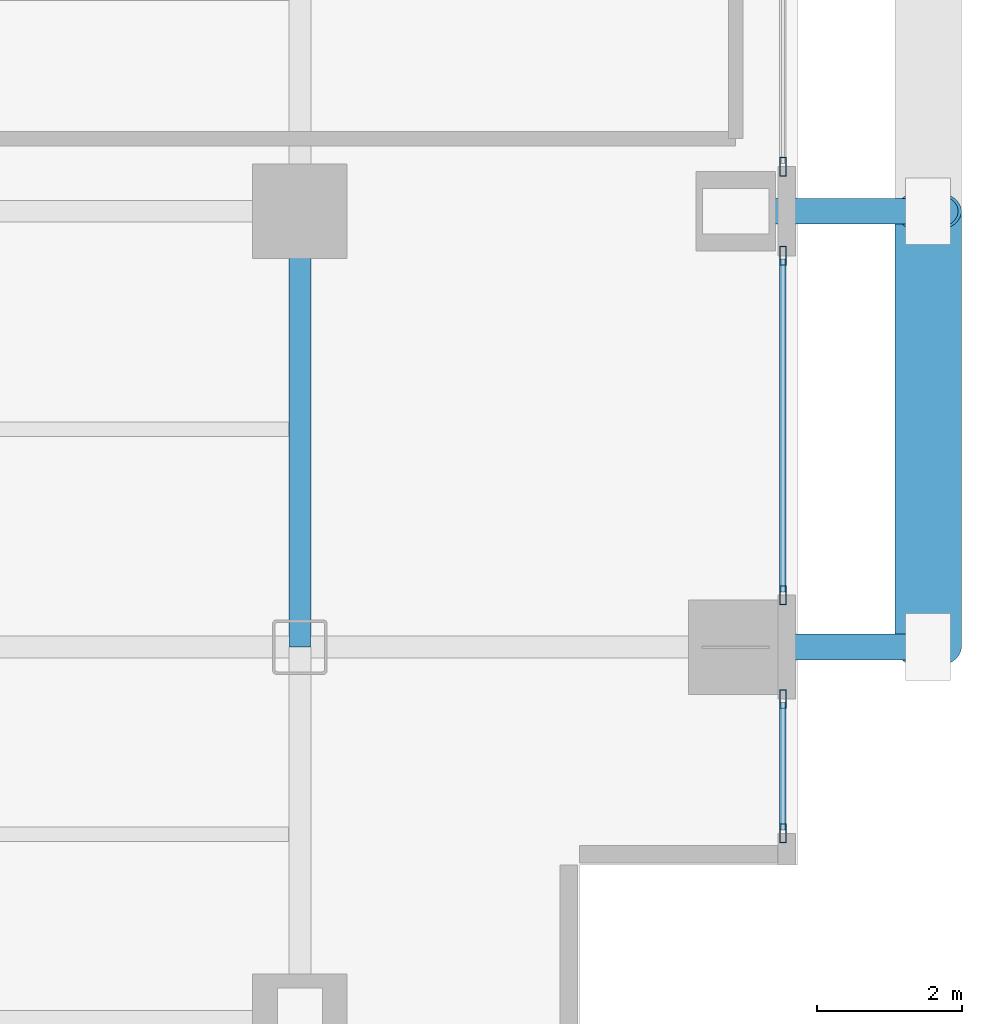
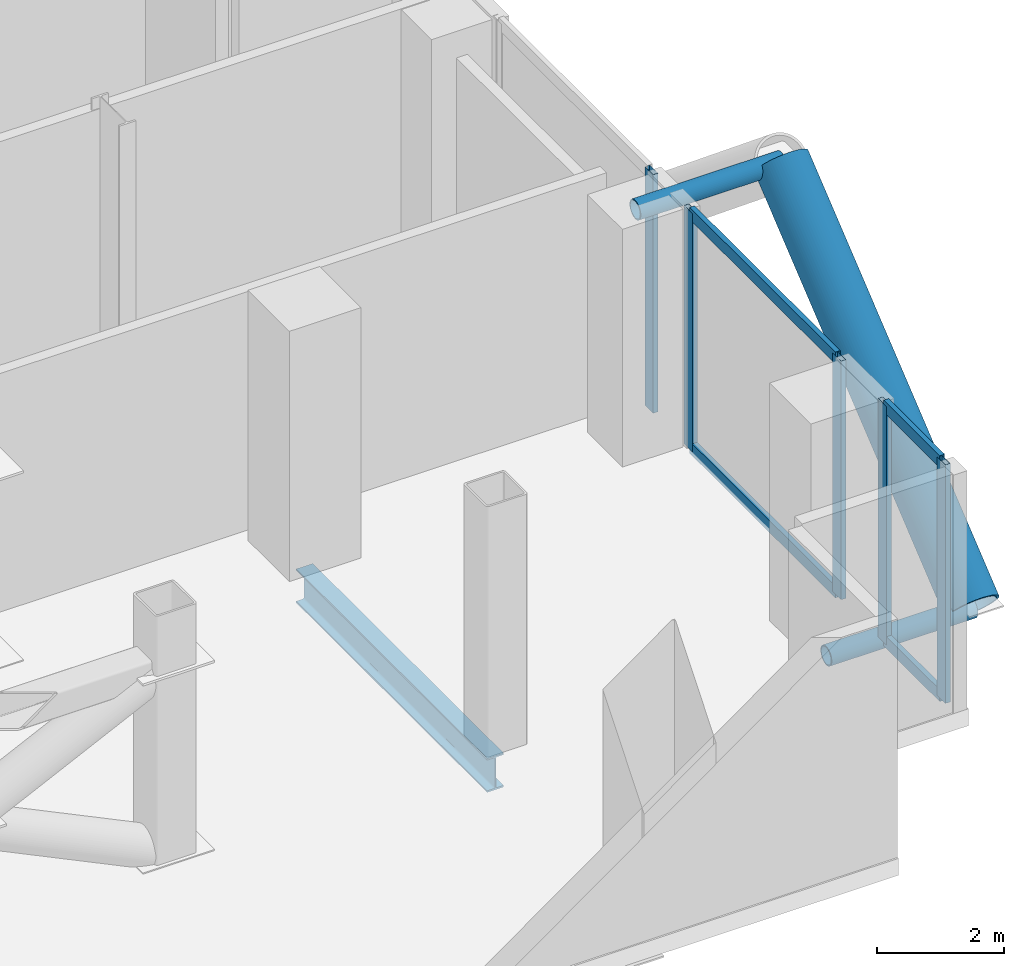
# One storey, part 4 of 10: 12 members, 1 beam, 3 elements without a shape of their own.
"""IFC4 building model written with IfcOpenShell, lengths in metres."""

from ifc_helpers import new_model, si_unit, direction, frame, origin, origin_2d, place, context, subcontext, project, spatial, hollow_rectangle, hollow_circle, i_section, extrude, material, layer, layer_set, material_profile, profile_set, type_object, element, aggregate, save


model = new_model("IFC4")

# Units and contexts
model_context = context("Model", 3, precision=1e-05, world=origin(), true_north=direction((0.0, 1.0)))
body_context = subcontext(model_context, "Body", "Model", "MODEL_VIEW")
ifc_project = project(units=[si_unit("LENGTHUNIT", "METRE"), si_unit("AREAUNIT", "SQUARE_METRE"), si_unit("VOLUMEUNIT", "CUBIC_METRE"), si_unit("PLANEANGLEUNIT", "RADIAN"), si_unit("MASSUNIT", "GRAM", prefix="KILO"), si_unit("THERMODYNAMICTEMPERATUREUNIT", "KELVIN"), si_unit("POWERUNIT", "WATT")], contexts=[model_context])

# Site, building, storey
site_placement = place(None, origin())
site = spatial("IfcSite", under=ifc_project, at=site_placement, CompositionType="ELEMENT")
building_placement = place(site_placement, origin())
building = spatial("IfcBuilding", under=site, at=building_placement, Name="Svarakhadi Broadcast Tower", CompositionType="ELEMENT")
storey_placement = place(building_placement, frame((0.0, 0.0, 94.800048828125)))
storey = spatial("IfcBuildingStorey", under=building, at=storey_placement, Name="L22", CompositionType="ELEMENT", Elevation=94.800048828125)

# Curtain wall, member
ifc_material_1 = material(Name="Anodised Bronze Aluminium AA 6063-T6", Category="aluminium")
ifc_layer = layer(ifc_material_1, 0.260009765625)
ifc_layer_set = layer_set([ifc_layer], Name="Anodised Bronze Aluminium AA 6063-T6")
curtain_wall_type = type_object("IfcCurtainWallType", Name="CW_Sys_07", PredefinedType="NOTDEFINED", material=ifc_layer_set)
curtain_wall_1_placement = place(storey_placement, origin())
curtain_wall_1 = element("IfcCurtainWall", 1, at=curtain_wall_1_placement, inside=storey, type_object=curtain_wall_type, Name="L22 East Plant Daylighting Curtain Wall CW-07 Bay 2", PredefinedType="NOTDEFINED")
ifc_material_profile_1 = material_profile(ifc_material_1, hollow_rectangle(XDim=0.090087890625, YDim=0.260009765625, WallThickness=0.005615234375, at=origin_2d()), Name="ALU MULLION 260x90x6")
ifc_profile_set_1 = profile_set([ifc_material_profile_1], Name="Anodised Bronze Aluminium AA 6063-T6")
member_type_1 = type_object("IfcMemberType", Name="CW_Sys_07_Mul", PredefinedType="MULLION", material=ifc_profile_set_1)
member_1_placement = place(storey_placement, frame((53.800048828125, 12.614990234375, 0.0), z_axis=(0.0, 0.0, 1.0), x_axis=(1.0, 0.0, 0.0)))
member_1 = element("IfcMember", 2, at=member_1_placement, type_object=member_type_1, Name="CW-07 mullion 2", PredefinedType="MULLION", context=body_context, shape_type="SweptSolid", body=[
    extrude(hollow_rectangle(XDim=0.090087890625, YDim=0.260009765625, WallThickness=0.005615234375, at=origin_2d()), origin(), (0.0, 0.0, 1.0), 4.574951171875),
])
aggregate(curtain_wall_1, [member_1])

# Curtain wall, members
curtain_wall_2_placement = place(storey_placement, origin())
curtain_wall_2 = element("IfcCurtainWall", 3, at=curtain_wall_2_placement, inside=storey, type_object=curtain_wall_type, Name="L22 East Plant Daylighting Curtain Wall CW-07 Bay 3", PredefinedType="NOTDEFINED")
member_2_placement = place(storey_placement, frame((53.800048828125, 11.385009765625, 0.0), z_axis=(0.0, 0.0, 1.0), x_axis=(1.0, 0.0, 0.0)))
member_2 = element("IfcMember", 4, at=member_2_placement, type_object=member_type_1, Name="CW-07 mullion 1", PredefinedType="MULLION", context=body_context, shape_type="SweptSolid", body=[
    extrude(hollow_rectangle(XDim=0.090087890625, YDim=0.260009765625, WallThickness=0.005615234375, at=origin_2d()), origin(), (0.0, 0.0, 1.0), 4.574951171875),
])
member_3_placement = place(storey_placement, frame((53.800048828125, 6.715087890625, 0.0), z_axis=(0.0, 0.0, 1.0), x_axis=(1.0, 0.0, 0.0)))
member_3 = element("IfcMember", 5, at=member_3_placement, type_object=member_type_1, Name="CW-07 mullion 2", PredefinedType="MULLION", context=body_context, shape_type="SweptSolid", body=[
    extrude(hollow_rectangle(XDim=0.090087890625, YDim=0.260009765625, WallThickness=0.005615234375, at=origin_2d()), origin(), (0.0, 0.0, 1.0), 4.574951171875),
])

curtain_wall_3_placement = place(storey_placement, origin())
curtain_wall_3 = element("IfcCurtainWall", 6, at=curtain_wall_3_placement, inside=storey, type_object=curtain_wall_type, Name="L22 East Plant Daylighting Curtain Wall CW-07 Bay 4", PredefinedType="NOTDEFINED")
member_4_placement = place(storey_placement, frame((53.800048828125, 5.284912109375, 0.0), z_axis=(0.0, 0.0, 1.0), x_axis=(1.0, 0.0, 0.0)))
member_4 = element("IfcMember", 7, at=member_4_placement, type_object=member_type_1, Name="CW-07 mullion 1", PredefinedType="MULLION", context=body_context, shape_type="SweptSolid", body=[
    extrude(hollow_rectangle(XDim=0.090087890625, YDim=0.260009765625, WallThickness=0.005615234375, at=origin_2d()), origin(), (0.0, 0.0, 1.0), 4.574951171875),
])
member_5_placement = place(storey_placement, frame((53.800048828125, 3.43505859375, 0.0), z_axis=(0.0, 0.0, 1.0), x_axis=(1.0, 0.0, 0.0)))
member_5 = element("IfcMember", 8, at=member_5_placement, type_object=member_type_1, Name="CW-07 mullion 2", PredefinedType="MULLION", context=body_context, shape_type="SweptSolid", body=[
    extrude(hollow_rectangle(XDim=0.090087890625, YDim=0.260009765625, WallThickness=0.005615234375, at=origin_2d()), origin(), (0.0, 0.0, 1.0), 4.574951171875),
])

# Member
ifc_material_profile_2 = material_profile(ifc_material_1, hollow_rectangle(XDim=0.090087890625, YDim=0.22998046875, WallThickness=0.0048828125, at=origin_2d()), Name="ALU TRANSOM 230x90x5")
ifc_profile_set_2 = profile_set([ifc_material_profile_2], Name="Anodised Bronze Aluminium AA 6063-T6")
member_type_2 = type_object("IfcMemberType", Name="CW_Sys_07_Trn", PredefinedType="USERDEFINED", material=ifc_profile_set_2)
member_6_placement = place(storey_placement, frame((53.800048828125, 11.340087890625, 0.044921875), z_axis=(0.0, -1.0, 0.0), x_axis=(1.0, 0.0, 0.0)))
member_6 = element("IfcMember", 9, at=member_6_placement, type_object=member_type_2, Name="CW-07 transom 1.1", ObjectType="TRANSOM", PredefinedType="USERDEFINED", context=body_context, shape_type="SweptSolid", body=[
    extrude(hollow_rectangle(XDim=0.090087890625, YDim=0.22998046875, WallThickness=0.0048828125, at=origin_2d()), origin(), (0.0, 0.0, 1.0), 4.580078125),
])

member_7_placement = place(storey_placement, frame((53.800048828125, 11.340087890625, 4.530029296875), z_axis=(0.0, -1.0, 0.0), x_axis=(1.0, 0.0, 0.0)))
member_7 = element("IfcMember", 10, at=member_7_placement, type_object=member_type_2, Name="CW-07 transom 1.2", ObjectType="TRANSOM", PredefinedType="USERDEFINED", context=body_context, shape_type="SweptSolid", body=[
    extrude(hollow_rectangle(XDim=0.090087890625, YDim=0.22998046875, WallThickness=0.0048828125, at=origin_2d()), origin(), (0.0, 0.0, 1.0), 4.580078125),
])

aggregate(curtain_wall_2, [member_2, member_3, member_6, member_7])

member_8_placement = place(storey_placement, frame((53.800048828125, 5.239990234375, 0.044921875), z_axis=(0.0, -1.0, 0.0), x_axis=(1.0, 0.0, 0.0)))
member_8 = element("IfcMember", 11, at=member_8_placement, type_object=member_type_2, Name="CW-07 transom 1.1", ObjectType="TRANSOM", PredefinedType="USERDEFINED", context=body_context, shape_type="SweptSolid", body=[
    extrude(hollow_rectangle(XDim=0.090087890625, YDim=0.22998046875, WallThickness=0.0048828125, at=origin_2d()), origin(), (0.0, 0.0, 1.0), 1.760009765625),
])

member_9_placement = place(storey_placement, frame((53.800048828125, 5.239990234375, 4.530029296875), z_axis=(0.0, -1.0, 0.0), x_axis=(1.0, 0.0, 0.0)))
member_9 = element("IfcMember", 12, at=member_9_placement, type_object=member_type_2, Name="CW-07 transom 1.2", ObjectType="TRANSOM", PredefinedType="USERDEFINED", context=body_context, shape_type="SweptSolid", body=[
    extrude(hollow_rectangle(XDim=0.090087890625, YDim=0.22998046875, WallThickness=0.0048828125, at=origin_2d()), origin(), (0.0, 0.0, 1.0), 1.760009765625),
])

aggregate(curtain_wall_3, [member_4, member_5, member_8, member_9])

# Members
ifc_material_2 = material(Name="Steel S460ML (IS 2062 E450BR)", Category="steel")
ifc_material_profile_3 = material_profile(ifc_material_2, hollow_circle(Radius=0.45703125, WallThickness=0.044921875, at=origin_2d()), Name="CHS 914x45")
ifc_profile_set_3 = profile_set([ifc_material_profile_3], Name="Steel S460ML (IS 2062 E450BR)")
member_type_3 = type_object("IfcMemberType", Name="Exo_Brace_CHS914", PredefinedType="BRACE", material=ifc_profile_set_3)
member_10_placement = place(storey_placement, frame((55.800048828125, 6.0, -0.5029296875), z_axis=(0.0, 0.773519586462, 0.633772395549), x_axis=(-1.0, 0.0, 0.0)))
element("IfcMember", 13, at=member_10_placement, inside=storey, type_object=member_type_3, Name="L22 Exposed Bronze Exoskeleton Diagonal E14", PredefinedType="BRACE", context=body_context, shape_type="SweptSolid", body=[
    extrude(hollow_circle(Radius=0.45703125, WallThickness=0.044921875, at=origin_2d()), origin(), (0.0, 0.0, 1.0), 7.7568359375),
])
ifc_material_profile_4 = material_profile(ifc_material_2, hollow_circle(Radius=0.177734375, WallThickness=0.02001953125, at=origin_2d()), Name="CHS 355.6x20")
ifc_profile_set_4 = profile_set([ifc_material_profile_4], Name="Steel S460ML (IS 2062 E450BR)")
member_type_4 = type_object("IfcMemberType", Name="Exo_Radial_Strut_Z1", PredefinedType="STRUT", material=ifc_profile_set_4)
for number, where, z_axis, x_axis, name in (
    (14, (55.800048828125, 6.0, -0.5029296875), (-1.0, 0.0, 0.0), (0.0, -1.0, 0.0), "L22 Exoskeleton Radial Tie Strut E09"),
    (15, (55.800048828125, 12.0, 4.4130859375), (-1.0, 0.0, 0.0), (0.0, -1.0, 0.0), "L22 Exoskeleton Setback Top Radial Tie E01"),
):
    element("IfcMember", number, at=place(storey_placement, frame(where, z_axis=z_axis, x_axis=x_axis)), inside=storey, type_object=member_type_4, Name=name, PredefinedType="STRUT", context=body_context, shape_type="SweptSolid", body=[
        extrude(hollow_circle(Radius=0.177734375, WallThickness=0.02001953125, at=origin_2d()), origin(), (0.0, 0.0, 1.0), 2.650146484375),
    ])

# Beam
ifc_material_3 = material(Name="Steel S355J2 (IS 2062 E350C)", Category="steel")
ifc_material_profile_5 = material_profile(ifc_material_3, i_section(OverallWidth=0.300048828125, OverallDepth=0.64990234375, WebThickness=0.01611328125, FlangeThickness=0.031005859375, FilletRadius=0.027099609375, at=origin_2d()), Name="WPB 650x300x225")
ifc_profile_set_5 = profile_set([ifc_material_profile_5], Name="Steel S355J2 (IS 2062 E350C)")
beam_type = type_object("IfcBeamType", Name="Girder_WPB650", PredefinedType="USERDEFINED", material=ifc_profile_set_5)
beam_placement = place(storey_placement, frame((47.14990234375, 6.0, -0.650146484375), z_axis=(0.0, 1.0, 0.0), x_axis=(-1.0, 0.0, 0.0)))
element("IfcBeam", 16, at=beam_placement, inside=storey, type_object=beam_type, Name="L22 Primary N-S Girder G083", ObjectType="GIRDER", PredefinedType="USERDEFINED", context=body_context, shape_type="SweptSolid", body=[
    extrude(i_section(OverallWidth=0.300048828125, OverallDepth=0.64990234375, WebThickness=0.01611328125, FlangeThickness=0.031005859375, FilletRadius=0.027099609375, at=origin_2d()), origin(), (0.0, 0.0, 1.0), 6.0),
])

save(model, "model.ifc")
